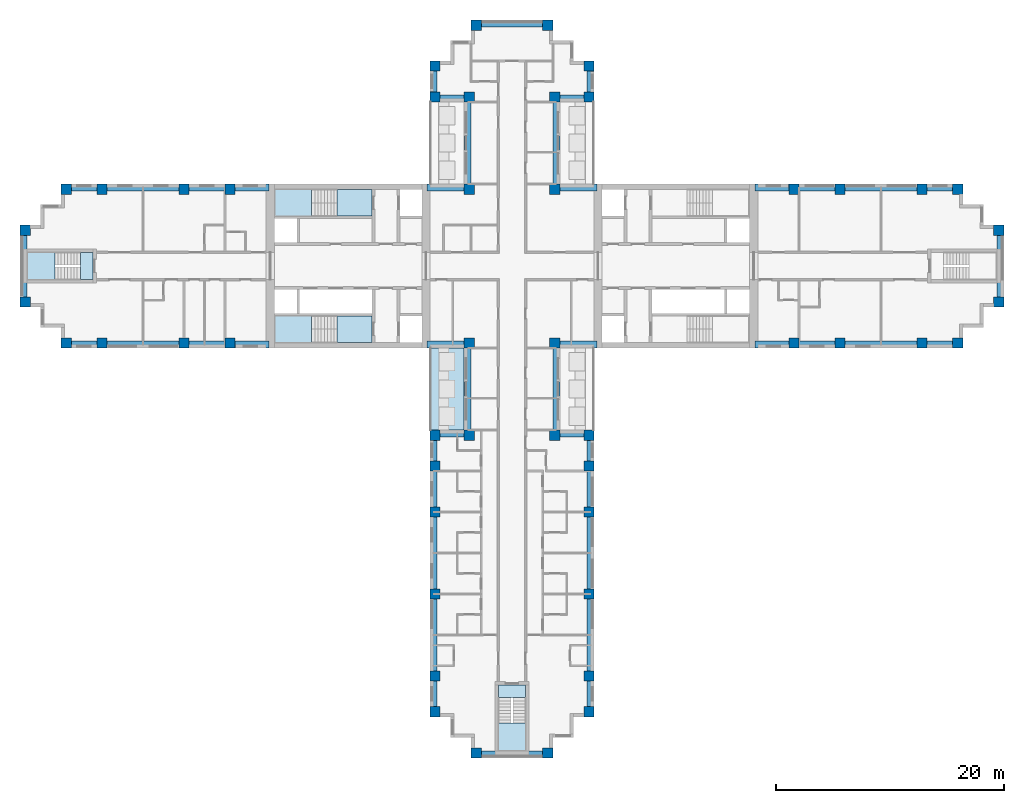
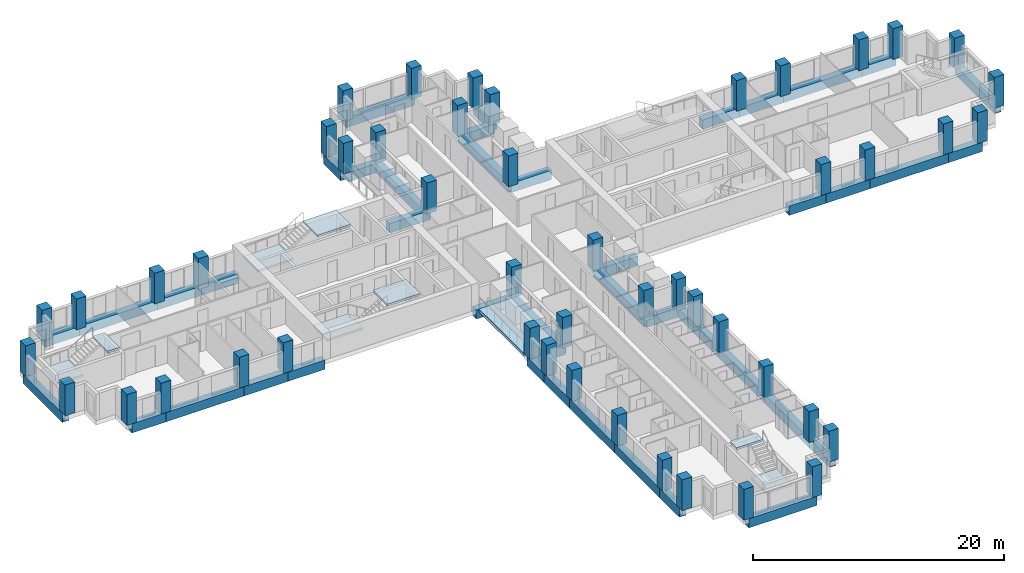
# One storey, part 1 of 14: 48 columns, 44 beams, 9 slabs, 4 elements without a shape of their own.
"""IFC4 building model written with IfcOpenShell, lengths in metres."""

from ifc_helpers import new_model, si_unit, direction, frame, origin, origin_2d, place, context, subcontext, project, spatial, polyline, rectangle, outline, extrude, material, layer, layer_set, material_profile, profile_set, type_object, element, aggregate, save


model = new_model("IFC4")

# Units and contexts
model_context = context("Model", 3, precision=1e-05, world=origin(), true_north=direction((0.0, 1.0)))
body_context = subcontext(model_context, "Body", "Model", "MODEL_VIEW")
ifc_project = project(units=[si_unit("LENGTHUNIT", "METRE"), si_unit("AREAUNIT", "SQUARE_METRE"), si_unit("VOLUMEUNIT", "CUBIC_METRE"), si_unit("PLANEANGLEUNIT", "RADIAN"), si_unit("MASSUNIT", "GRAM", prefix="KILO")], contexts=[model_context])

# Site, building, storey
site_placement = place(None, origin())
site = spatial("IfcSite", under=ifc_project, at=site_placement, CompositionType="ELEMENT")
building_placement = place(site_placement, origin())
building = spatial("IfcBuilding", under=site, at=building_placement, Name="Fustian Cross Tower", CompositionType="ELEMENT")
storey_placement = place(building_placement, frame((0.0, 0.0, 69.89990234375)))
storey = spatial("IfcBuildingStorey", under=building, at=storey_placement, Name="L21", CompositionType="ELEMENT", Elevation=69.89990234375)

# Columns
ifc_material_1 = material(Name="Concrete C60/75", Category="concrete")
ifc_material_profile_1 = material_profile(ifc_material_1, rectangle(XDim=0.89990234375, YDim=0.89990234375, at=origin_2d()), Name="RC 900x900")
ifc_profile_set_1 = profile_set([ifc_material_profile_1], Name="Concrete C60/75")
column_type = type_object("IfcColumnType", Name="COLUMN RC 900x900 C60/75", PredefinedType="COLUMN", material=ifc_profile_set_1)
for number, where, z_axis, x_axis, name in (
    (1, (-42.75, -3.14990234375, 0.0), (0.0, 0.0, 1.0), (1.0, 0.0, 0.0), "COLUMN 001"),
    (2, (-42.75, 3.14990234375, 0.0), (0.0, 0.0, 1.0), (1.0, 0.0, 0.0), "COLUMN 002"),
    (3, (-39.14990234375, -6.75, 0.0), (0.0, 0.0, 1.0), (1.0, 0.0, 0.0), "COLUMN 003"),
    (4, (-39.14990234375, 6.75, 0.0), (0.0, 0.0, 1.0), (1.0, 0.0, 0.0), "COLUMN 004"),
    (5, (-36.0, -6.75, 0.0), (0.0, 0.0, 1.0), (1.0, 0.0, 0.0), "COLUMN 005"),
    (6, (-36.0, 6.75, 0.0), (0.0, 0.0, 1.0), (1.0, 0.0, 0.0), "COLUMN 006"),
    (7, (-28.800048828125, -6.75, 0.0), (0.0, 0.0, 1.0), (1.0, 0.0, 0.0), "COLUMN 007"),
    (8, (-28.800048828125, 6.75, 0.0), (0.0, 0.0, 1.0), (1.0, 0.0, 0.0), "COLUMN 010"),
    (9, (-24.75, -6.75, 0.0), (0.0, 0.0, 1.0), (1.0, 0.0, 0.0), "COLUMN 011"),
    (10, (-24.75, 6.75, 0.0), (0.0, 0.0, 1.0), (1.0, 0.0, 0.0), "COLUMN 012"),
    (11, (-6.75, -39.14990234375, 0.0), (0.0, 0.0, 1.0), (1.0, 0.0, 0.0), "COLUMN 013"),
    (12, (-6.75, -36.0, 0.0), (0.0, 0.0, 1.0), (1.0, 0.0, 0.0), "COLUMN 014"),
    (13, (-6.75, -28.800048828125, 0.0), (0.0, 0.0, 1.0), (1.0, 0.0, 0.0), "COLUMN 015"),
    (14, (-6.75, -21.60009765625, 0.0), (0.0, 0.0, 1.0), (1.0, 0.0, 0.0), "COLUMN 016"),
    (15, (-6.75, -17.550048828125, 0.0), (0.0, 0.0, 1.0), (1.0, 0.0, 0.0), "COLUMN 017"),
    (16, (-6.75, -14.85009765625, 0.0), (0.0, 0.0, 1.0), (1.0, 0.0, 0.0), "COLUMN 018"),
    (17, (-6.75, 14.85009765625, 0.0), (0.0, 0.0, 1.0), (1.0, 0.0, 0.0), "COLUMN 019"),
    (18, (-6.75, 17.550048828125, 0.0), (0.0, 0.0, 1.0), (1.0, 0.0, 0.0), "COLUMN 020"),
    (19, (-3.75, -14.85009765625, 0.0), (0.0, 0.0, 1.0), (1.0, 0.0, 0.0), "COLUMN 025"),
    (20, (-3.75, -6.75, 0.0), (0.0, 0.0, 1.0), (1.0, 0.0, 0.0), "COLUMN 026"),
    (21, (-3.75, 6.75, 0.0), (0.0, 0.0, 1.0), (1.0, 0.0, 0.0), "COLUMN 027"),
    (22, (-3.75, 14.85009765625, 0.0), (0.0, 0.0, 1.0), (1.0, 0.0, 0.0), "COLUMN 028"),
    (23, (-3.14990234375, -42.75, 0.0), (0.0, 0.0, 1.0), (1.0, 0.0, 0.0), "COLUMN 029"),
    (24, (-3.14990234375, 21.14990234375, 0.0), (0.0, 0.0, 1.0), (1.0, 0.0, 0.0), "COLUMN 031"),
    (25, (3.14990234375, -42.75, 0.0), (0.0, 0.0, 1.0), (1.0, 0.0, 0.0), "COLUMN 033"),
    (26, (3.14990234375, 21.14990234375, 0.0), (0.0, 0.0, 1.0), (1.0, 0.0, 0.0), "COLUMN 035"),
    (27, (3.75, -14.85009765625, 0.0), (0.0, 0.0, 1.0), (1.0, 0.0, 0.0), "COLUMN 037"),
    (28, (3.75, -6.75, 0.0), (0.0, 0.0, 1.0), (1.0, 0.0, 0.0), "COLUMN 038"),
    (29, (3.75, 6.75, 0.0), (0.0, 0.0, 1.0), (1.0, 0.0, 0.0), "COLUMN 039"),
    (30, (3.75, 14.85009765625, 0.0), (0.0, 0.0, 1.0), (1.0, 0.0, 0.0), "COLUMN 040"),
    (31, (6.75, -39.14990234375, 0.0), (0.0, 0.0, 1.0), (1.0, 0.0, 0.0), "COLUMN 041"),
    (32, (6.75, -36.0, 0.0), (0.0, 0.0, 1.0), (1.0, 0.0, 0.0), "COLUMN 042"),
    (33, (6.75, -28.800048828125, 0.0), (0.0, 0.0, 1.0), (1.0, 0.0, 0.0), "COLUMN 043"),
    (34, (6.75, -21.60009765625, 0.0), (0.0, 0.0, 1.0), (1.0, 0.0, 0.0), "COLUMN 044"),
    (35, (6.75, -17.550048828125, 0.0), (0.0, 0.0, 1.0), (1.0, 0.0, 0.0), "COLUMN 045"),
    (36, (6.75, -14.85009765625, 0.0), (0.0, 0.0, 1.0), (1.0, 0.0, 0.0), "COLUMN 046"),
    (37, (6.75, 14.85009765625, 0.0), (0.0, 0.0, 1.0), (1.0, 0.0, 0.0), "COLUMN 047"),
    (38, (6.75, 17.550048828125, 0.0), (0.0, 0.0, 1.0), (1.0, 0.0, 0.0), "COLUMN 048"),
    (39, (24.75, -6.75, 0.0), (0.0, 0.0, 1.0), (1.0, 0.0, 0.0), "COLUMN 053"),
    (40, (24.75, 6.75, 0.0), (0.0, 0.0, 1.0), (1.0, 0.0, 0.0), "COLUMN 054"),
    (41, (28.800048828125, -6.75, 0.0), (0.0, 0.0, 1.0), (1.0, 0.0, 0.0), "COLUMN 055"),
    (42, (28.800048828125, 6.75, 0.0), (0.0, 0.0, 1.0), (1.0, 0.0, 0.0), "COLUMN 058"),
    (43, (36.0, -6.75, 0.0), (0.0, 0.0, 1.0), (1.0, 0.0, 0.0), "COLUMN 059"),
    (44, (36.0, 6.75, 0.0), (0.0, 0.0, 1.0), (1.0, 0.0, 0.0), "COLUMN 060"),
    (45, (39.14990234375, -6.75, 0.0), (0.0, 0.0, 1.0), (1.0, 0.0, 0.0), "COLUMN 061"),
    (46, (39.14990234375, 6.75, 0.0), (0.0, 0.0, 1.0), (1.0, 0.0, 0.0), "COLUMN 062"),
    (47, (42.75, -3.14990234375, 0.0), (0.0, 0.0, 1.0), (1.0, 0.0, 0.0), "COLUMN 063"),
    (48, (42.75, 3.14990234375, 0.0), (0.0, 0.0, 1.0), (1.0, 0.0, 0.0), "COLUMN 064"),
):
    element("IfcColumn", number, at=place(storey_placement, frame(where, z_axis=z_axis, x_axis=x_axis)), inside=storey, type_object=column_type, Name=name, PredefinedType="COLUMN", context=body_context, shape_type="SweptSolid", body=[
        extrude(rectangle(XDim=0.89990234375, YDim=0.89990234375, at=origin_2d()), origin(), (0.0, 0.0, 1.0), 3.0),
    ])

# Beams
ifc_material_2 = material(Name="Concrete C50/60", Category="concrete")
ifc_material_profile_2 = material_profile(ifc_material_2, rectangle(XDim=0.60009765625, YDim=0.89990234375, at=origin_2d()), Name="RC 600x900")
ifc_profile_set_2 = profile_set([ifc_material_profile_2], Name="Concrete C50/60")
beam_type = type_object("IfcBeamType", Name="EDGE BEAM RC 600x900 C50/60", PredefinedType="SPANDREL", material=ifc_profile_set_2)
beam_1_placement = place(storey_placement, frame((21.35009765625, -6.89990234375, -0.449951171875), z_axis=(1.0, 0.0, 0.0), x_axis=(0.0, 1.0, 0.0)))
element("IfcBeam", 49, at=beam_1_placement, inside=storey, type_object=beam_type, Name="EDGE BEAM L21-01", PredefinedType="SPANDREL", context=body_context, shape_type="SweptSolid", body=[
    extrude(rectangle(XDim=0.60009765625, YDim=0.89990234375, at=origin_2d()), origin(), (0.0, 0.0, 1.0), 3.39990234375),
])
beam_2_placement = place(storey_placement, frame((24.75, -6.89990234375, -0.449951171875), z_axis=(1.0, 0.0, 0.0), x_axis=(0.0, 1.0, 0.0)))
element("IfcBeam", 50, at=beam_2_placement, inside=storey, type_object=beam_type, Name="EDGE BEAM L21-02", PredefinedType="SPANDREL", context=body_context, shape_type="SweptSolid", body=[
    extrude(rectangle(XDim=0.60009765625, YDim=0.89990234375, at=origin_2d()), origin(), (0.0, 0.0, 1.0), 4.050048828125),
])
beam_3_placement = place(storey_placement, frame((28.800048828125, -6.89990234375, -0.449951171875), z_axis=(1.0, 0.0, 0.0), x_axis=(0.0, 1.0, 0.0)))
element("IfcBeam", 51, at=beam_3_placement, inside=storey, type_object=beam_type, Name="EDGE BEAM L21-03", PredefinedType="SPANDREL", context=body_context, shape_type="SweptSolid", body=[
    extrude(rectangle(XDim=0.60009765625, YDim=0.89990234375, at=origin_2d()), origin(), (0.0, 0.0, 1.0), 7.199951171875),
])
beam_4_placement = place(storey_placement, frame((36.0, -6.89990234375, -0.449951171875), z_axis=(1.0, 0.0, 0.0), x_axis=(0.0, 1.0, 0.0)))
element("IfcBeam", 52, at=beam_4_placement, inside=storey, type_object=beam_type, Name="EDGE BEAM L21-04", PredefinedType="SPANDREL", context=body_context, shape_type="SweptSolid", body=[
    extrude(rectangle(XDim=0.60009765625, YDim=0.89990234375, at=origin_2d()), origin(), (0.0, 0.0, 1.0), 3.14990234375),
])
beam_5_placement = place(storey_placement, frame((42.89990234375, -3.14990234375, -0.449951171875), z_axis=(0.0, 1.0, 0.0), x_axis=(-1.0, 0.0, 0.0)))
element("IfcBeam", 53, at=beam_5_placement, inside=storey, type_object=beam_type, Name="EDGE BEAM L21-05", PredefinedType="SPANDREL", context=body_context, shape_type="SweptSolid", body=[
    extrude(rectangle(XDim=0.60009765625, YDim=0.89990234375, at=origin_2d()), origin(), (0.0, 0.0, 1.0), 6.2998046875),
])
beam_6_placement = place(storey_placement, frame((39.14990234375, 6.89990234375, -0.449951171875), z_axis=(-1.0, 0.0, 0.0), x_axis=(0.0, -1.0, 0.0)))
element("IfcBeam", 54, at=beam_6_placement, inside=storey, type_object=beam_type, Name="EDGE BEAM L21-06", PredefinedType="SPANDREL", context=body_context, shape_type="SweptSolid", body=[
    extrude(rectangle(XDim=0.60009765625, YDim=0.89990234375, at=origin_2d()), origin(), (0.0, 0.0, 1.0), 3.14990234375),
])
beam_7_placement = place(storey_placement, frame((36.0, 6.89990234375, -0.449951171875), z_axis=(-1.0, 0.0, 0.0), x_axis=(0.0, -1.0, 0.0)))
element("IfcBeam", 55, at=beam_7_placement, inside=storey, type_object=beam_type, Name="EDGE BEAM L21-07", PredefinedType="SPANDREL", context=body_context, shape_type="SweptSolid", body=[
    extrude(rectangle(XDim=0.60009765625, YDim=0.89990234375, at=origin_2d()), origin(), (0.0, 0.0, 1.0), 7.199951171875),
])
beam_8_placement = place(storey_placement, frame((28.800048828125, 6.89990234375, -0.449951171875), z_axis=(-1.0, 0.0, 0.0), x_axis=(0.0, -1.0, 0.0)))
element("IfcBeam", 56, at=beam_8_placement, inside=storey, type_object=beam_type, Name="EDGE BEAM L21-08", PredefinedType="SPANDREL", context=body_context, shape_type="SweptSolid", body=[
    extrude(rectangle(XDim=0.60009765625, YDim=0.89990234375, at=origin_2d()), origin(), (0.0, 0.0, 1.0), 4.050048828125),
])
beam_9_placement = place(storey_placement, frame((24.75, 6.89990234375, -0.449951171875), z_axis=(-1.0, 0.0, 0.0), x_axis=(0.0, -1.0, 0.0)))
element("IfcBeam", 57, at=beam_9_placement, inside=storey, type_object=beam_type, Name="EDGE BEAM L21-09", PredefinedType="SPANDREL", context=body_context, shape_type="SweptSolid", body=[
    extrude(rectangle(XDim=0.60009765625, YDim=0.89990234375, at=origin_2d()), origin(), (0.0, 0.0, 1.0), 3.39990234375),
])
beam_10_placement = place(storey_placement, frame((7.449951171875, 6.89990234375, -0.449951171875), z_axis=(-1.0, 0.0, 0.0), x_axis=(0.0, -1.0, 0.0)))
element("IfcBeam", 58, at=beam_10_placement, inside=storey, type_object=beam_type, Name="EDGE BEAM L21-10", PredefinedType="SPANDREL", context=body_context, shape_type="SweptSolid", body=[
    extrude(rectangle(XDim=0.60009765625, YDim=0.89990234375, at=origin_2d()), origin(), (0.0, 0.0, 1.0), 3.699951171875),
])
beam_11_placement = place(storey_placement, frame((3.89990234375, 6.75, -0.449951171875), z_axis=(0.0, 1.0, 0.0), x_axis=(-1.0, 0.0, 0.0)))
element("IfcBeam", 59, at=beam_11_placement, inside=storey, type_object=beam_type, Name="EDGE BEAM L21-11", PredefinedType="SPANDREL", context=body_context, shape_type="SweptSolid", body=[
    extrude(rectangle(XDim=0.60009765625, YDim=0.89990234375, at=origin_2d()), origin(), (0.0, 0.0, 1.0), 8.10009765625),
])
beam_12_placement = place(storey_placement, frame((3.75, 14.699951171875, -0.449951171875), z_axis=(1.0, 0.0, 0.0), x_axis=(0.0, 1.0, 0.0)))
element("IfcBeam", 60, at=beam_12_placement, inside=storey, type_object=beam_type, Name="EDGE BEAM L21-12", PredefinedType="SPANDREL", context=body_context, shape_type="SweptSolid", body=[
    extrude(rectangle(XDim=0.60009765625, YDim=0.89990234375, at=origin_2d()), origin(), (0.0, 0.0, 1.0), 3.0),
])
beam_13_placement = place(storey_placement, frame((6.89990234375, 14.85009765625, -0.449951171875), z_axis=(0.0, 1.0, 0.0), x_axis=(-1.0, 0.0, 0.0)))
element("IfcBeam", 61, at=beam_13_placement, inside=storey, type_object=beam_type, Name="EDGE BEAM L21-13", PredefinedType="SPANDREL", context=body_context, shape_type="SweptSolid", body=[
    extrude(rectangle(XDim=0.60009765625, YDim=0.89990234375, at=origin_2d()), origin(), (0.0, 0.0, 1.0), 2.699951171875),
])
beam_14_placement = place(storey_placement, frame((3.14990234375, 21.300048828125, -0.449951171875), z_axis=(-1.0, 0.0, 0.0), x_axis=(0.0, -1.0, 0.0)))
element("IfcBeam", 62, at=beam_14_placement, inside=storey, type_object=beam_type, Name="EDGE BEAM L21-14", PredefinedType="SPANDREL", context=body_context, shape_type="SweptSolid", body=[
    extrude(rectangle(XDim=0.60009765625, YDim=0.89990234375, at=origin_2d()), origin(), (0.0, 0.0, 1.0), 6.2998046875),
])
beam_15_placement = place(storey_placement, frame((-6.89990234375, 17.550048828125, -0.449951171875), z_axis=(0.0, -1.0, 0.0), x_axis=(1.0, 0.0, 0.0)))
element("IfcBeam", 63, at=beam_15_placement, inside=storey, type_object=beam_type, Name="EDGE BEAM L21-15", PredefinedType="SPANDREL", context=body_context, shape_type="SweptSolid", body=[
    extrude(rectangle(XDim=0.60009765625, YDim=0.89990234375, at=origin_2d()), origin(), (0.0, 0.0, 1.0), 2.699951171875),
])
beam_16_placement = place(storey_placement, frame((-6.75, 14.699951171875, -0.449951171875), z_axis=(1.0, 0.0, 0.0), x_axis=(0.0, 1.0, 0.0)))
element("IfcBeam", 64, at=beam_16_placement, inside=storey, type_object=beam_type, Name="EDGE BEAM L21-16", PredefinedType="SPANDREL", context=body_context, shape_type="SweptSolid", body=[
    extrude(rectangle(XDim=0.60009765625, YDim=0.89990234375, at=origin_2d()), origin(), (0.0, 0.0, 1.0), 3.0),
])
beam_17_placement = place(storey_placement, frame((-3.89990234375, 14.85009765625, -0.449951171875), z_axis=(0.0, -1.0, 0.0), x_axis=(1.0, 0.0, 0.0)))
element("IfcBeam", 65, at=beam_17_placement, inside=storey, type_object=beam_type, Name="EDGE BEAM L21-17", PredefinedType="SPANDREL", context=body_context, shape_type="SweptSolid", body=[
    extrude(rectangle(XDim=0.60009765625, YDim=0.89990234375, at=origin_2d()), origin(), (0.0, 0.0, 1.0), 8.10009765625),
])
beam_18_placement = place(storey_placement, frame((-3.75, 6.89990234375, -0.449951171875), z_axis=(-1.0, 0.0, 0.0), x_axis=(0.0, -1.0, 0.0)))
element("IfcBeam", 66, at=beam_18_placement, inside=storey, type_object=beam_type, Name="EDGE BEAM L21-18", PredefinedType="SPANDREL", context=body_context, shape_type="SweptSolid", body=[
    extrude(rectangle(XDim=0.60009765625, YDim=0.89990234375, at=origin_2d()), origin(), (0.0, 0.0, 1.0), 3.699951171875),
])
beam_19_placement = place(storey_placement, frame((-21.35009765625, 6.89990234375, -0.449951171875), z_axis=(-1.0, 0.0, 0.0), x_axis=(0.0, -1.0, 0.0)))
element("IfcBeam", 67, at=beam_19_placement, inside=storey, type_object=beam_type, Name="EDGE BEAM L21-19", PredefinedType="SPANDREL", context=body_context, shape_type="SweptSolid", body=[
    extrude(rectangle(XDim=0.60009765625, YDim=0.89990234375, at=origin_2d()), origin(), (0.0, 0.0, 1.0), 3.39990234375),
])
beam_20_placement = place(storey_placement, frame((-24.75, 6.89990234375, -0.449951171875), z_axis=(-1.0, 0.0, 0.0), x_axis=(0.0, -1.0, 0.0)))
element("IfcBeam", 68, at=beam_20_placement, inside=storey, type_object=beam_type, Name="EDGE BEAM L21-20", PredefinedType="SPANDREL", context=body_context, shape_type="SweptSolid", body=[
    extrude(rectangle(XDim=0.60009765625, YDim=0.89990234375, at=origin_2d()), origin(), (0.0, 0.0, 1.0), 4.050048828125),
])
beam_21_placement = place(storey_placement, frame((-28.800048828125, 6.89990234375, -0.449951171875), z_axis=(-1.0, 0.0, 0.0), x_axis=(0.0, -1.0, 0.0)))
element("IfcBeam", 69, at=beam_21_placement, inside=storey, type_object=beam_type, Name="EDGE BEAM L21-21", PredefinedType="SPANDREL", context=body_context, shape_type="SweptSolid", body=[
    extrude(rectangle(XDim=0.60009765625, YDim=0.89990234375, at=origin_2d()), origin(), (0.0, 0.0, 1.0), 7.199951171875),
])
beam_22_placement = place(storey_placement, frame((-36.0, 6.89990234375, -0.449951171875), z_axis=(-1.0, 0.0, 0.0), x_axis=(0.0, -1.0, 0.0)))
element("IfcBeam", 70, at=beam_22_placement, inside=storey, type_object=beam_type, Name="EDGE BEAM L21-22", PredefinedType="SPANDREL", context=body_context, shape_type="SweptSolid", body=[
    extrude(rectangle(XDim=0.60009765625, YDim=0.89990234375, at=origin_2d()), origin(), (0.0, 0.0, 1.0), 3.14990234375),
])
beam_23_placement = place(storey_placement, frame((-42.89990234375, 3.14990234375, -0.449951171875), z_axis=(0.0, -1.0, 0.0), x_axis=(1.0, 0.0, 0.0)))
element("IfcBeam", 71, at=beam_23_placement, inside=storey, type_object=beam_type, Name="EDGE BEAM L21-23", PredefinedType="SPANDREL", context=body_context, shape_type="SweptSolid", body=[
    extrude(rectangle(XDim=0.60009765625, YDim=0.89990234375, at=origin_2d()), origin(), (0.0, 0.0, 1.0), 6.2998046875),
])
beam_24_placement = place(storey_placement, frame((-39.14990234375, -6.89990234375, -0.449951171875), z_axis=(1.0, 0.0, 0.0), x_axis=(0.0, 1.0, 0.0)))
element("IfcBeam", 72, at=beam_24_placement, inside=storey, type_object=beam_type, Name="EDGE BEAM L21-24", PredefinedType="SPANDREL", context=body_context, shape_type="SweptSolid", body=[
    extrude(rectangle(XDim=0.60009765625, YDim=0.89990234375, at=origin_2d()), origin(), (0.0, 0.0, 1.0), 3.14990234375),
])
beam_25_placement = place(storey_placement, frame((-36.0, -6.89990234375, -0.449951171875), z_axis=(1.0, 0.0, 0.0), x_axis=(0.0, 1.0, 0.0)))
element("IfcBeam", 73, at=beam_25_placement, inside=storey, type_object=beam_type, Name="EDGE BEAM L21-25", PredefinedType="SPANDREL", context=body_context, shape_type="SweptSolid", body=[
    extrude(rectangle(XDim=0.60009765625, YDim=0.89990234375, at=origin_2d()), origin(), (0.0, 0.0, 1.0), 7.199951171875),
])
beam_26_placement = place(storey_placement, frame((-28.800048828125, -6.89990234375, -0.449951171875), z_axis=(1.0, 0.0, 0.0), x_axis=(0.0, 1.0, 0.0)))
element("IfcBeam", 74, at=beam_26_placement, inside=storey, type_object=beam_type, Name="EDGE BEAM L21-26", PredefinedType="SPANDREL", context=body_context, shape_type="SweptSolid", body=[
    extrude(rectangle(XDim=0.60009765625, YDim=0.89990234375, at=origin_2d()), origin(), (0.0, 0.0, 1.0), 4.050048828125),
])
beam_27_placement = place(storey_placement, frame((-24.75, -6.89990234375, -0.449951171875), z_axis=(1.0, 0.0, 0.0), x_axis=(0.0, 1.0, 0.0)))
element("IfcBeam", 75, at=beam_27_placement, inside=storey, type_object=beam_type, Name="EDGE BEAM L21-27", PredefinedType="SPANDREL", context=body_context, shape_type="SweptSolid", body=[
    extrude(rectangle(XDim=0.60009765625, YDim=0.89990234375, at=origin_2d()), origin(), (0.0, 0.0, 1.0), 3.39990234375),
])
beam_28_placement = place(storey_placement, frame((-7.449951171875, -6.89990234375, -0.449951171875), z_axis=(1.0, 0.0, 0.0), x_axis=(0.0, 1.0, 0.0)))
element("IfcBeam", 76, at=beam_28_placement, inside=storey, type_object=beam_type, Name="EDGE BEAM L21-28", PredefinedType="SPANDREL", context=body_context, shape_type="SweptSolid", body=[
    extrude(rectangle(XDim=0.60009765625, YDim=0.89990234375, at=origin_2d()), origin(), (0.0, 0.0, 1.0), 3.699951171875),
])
beam_29_placement = place(storey_placement, frame((-3.89990234375, -6.75, -0.449951171875), z_axis=(0.0, -1.0, 0.0), x_axis=(1.0, 0.0, 0.0)))
element("IfcBeam", 77, at=beam_29_placement, inside=storey, type_object=beam_type, Name="EDGE BEAM L21-29", PredefinedType="SPANDREL", context=body_context, shape_type="SweptSolid", body=[
    extrude(rectangle(XDim=0.60009765625, YDim=0.89990234375, at=origin_2d()), origin(), (0.0, 0.0, 1.0), 8.10009765625),
])
beam_30_placement = place(storey_placement, frame((-3.75, -14.699951171875, -0.449951171875), z_axis=(-1.0, 0.0, 0.0), x_axis=(0.0, -1.0, 0.0)))
element("IfcBeam", 78, at=beam_30_placement, inside=storey, type_object=beam_type, Name="EDGE BEAM L21-30", PredefinedType="SPANDREL", context=body_context, shape_type="SweptSolid", body=[
    extrude(rectangle(XDim=0.60009765625, YDim=0.89990234375, at=origin_2d()), origin(), (0.0, 0.0, 1.0), 3.0),
])
beam_31_placement = place(storey_placement, frame((-6.89990234375, -14.85009765625, -0.449951171875), z_axis=(0.0, -1.0, 0.0), x_axis=(1.0, 0.0, 0.0)))
element("IfcBeam", 79, at=beam_31_placement, inside=storey, type_object=beam_type, Name="EDGE BEAM L21-31", PredefinedType="SPANDREL", context=body_context, shape_type="SweptSolid", body=[
    extrude(rectangle(XDim=0.60009765625, YDim=0.89990234375, at=origin_2d()), origin(), (0.0, 0.0, 1.0), 2.699951171875),
])
beam_32_placement = place(storey_placement, frame((-6.89990234375, -17.550048828125, -0.449951171875), z_axis=(0.0, -1.0, 0.0), x_axis=(1.0, 0.0, 0.0)))
element("IfcBeam", 80, at=beam_32_placement, inside=storey, type_object=beam_type, Name="EDGE BEAM L21-32", PredefinedType="SPANDREL", context=body_context, shape_type="SweptSolid", body=[
    extrude(rectangle(XDim=0.60009765625, YDim=0.89990234375, at=origin_2d()), origin(), (0.0, 0.0, 1.0), 4.050048828125),
])
for number, where, z_axis, x_axis, name in (
    (81, (-6.89990234375, -21.60009765625, -0.449951171875), (0.0, -1.0, 0.0), (1.0, 0.0, 0.0), "EDGE BEAM L21-33"),
    (82, (-6.89990234375, -28.800048828125, -0.449951171875), (0.0, -1.0, 0.0), (1.0, 0.0, 0.0), "EDGE BEAM L21-34"),
):
    element("IfcBeam", number, at=place(storey_placement, frame(where, z_axis=z_axis, x_axis=x_axis)), inside=storey, type_object=beam_type, Name=name, PredefinedType="SPANDREL", context=body_context, shape_type="SweptSolid", body=[
        extrude(rectangle(XDim=0.60009765625, YDim=0.89990234375, at=origin_2d()), origin(), (0.0, 0.0, 1.0), 7.199951171875),
    ])
beam_33_placement = place(storey_placement, frame((-6.89990234375, -36.0, -0.449951171875), z_axis=(0.0, -1.0, 0.0), x_axis=(1.0, 0.0, 0.0)))
element("IfcBeam", 83, at=beam_33_placement, inside=storey, type_object=beam_type, Name="EDGE BEAM L21-35", PredefinedType="SPANDREL", context=body_context, shape_type="SweptSolid", body=[
    extrude(rectangle(XDim=0.60009765625, YDim=0.89990234375, at=origin_2d()), origin(), (0.0, 0.0, 1.0), 3.14990234375),
])
beam_34_placement = place(storey_placement, frame((-3.14990234375, -42.89990234375, -0.449951171875), z_axis=(1.0, 0.0, 0.0), x_axis=(0.0, 1.0, 0.0)))
element("IfcBeam", 84, at=beam_34_placement, inside=storey, type_object=beam_type, Name="EDGE BEAM L21-36", PredefinedType="SPANDREL", context=body_context, shape_type="SweptSolid", body=[
    extrude(rectangle(XDim=0.60009765625, YDim=0.89990234375, at=origin_2d()), origin(), (0.0, 0.0, 1.0), 6.2998046875),
])
beam_35_placement = place(storey_placement, frame((6.89990234375, -39.14990234375, -0.449951171875), z_axis=(0.0, 1.0, 0.0), x_axis=(-1.0, 0.0, 0.0)))
element("IfcBeam", 85, at=beam_35_placement, inside=storey, type_object=beam_type, Name="EDGE BEAM L21-37", PredefinedType="SPANDREL", context=body_context, shape_type="SweptSolid", body=[
    extrude(rectangle(XDim=0.60009765625, YDim=0.89990234375, at=origin_2d()), origin(), (0.0, 0.0, 1.0), 3.14990234375),
])
for number, where, z_axis, x_axis, name in (
    (86, (6.89990234375, -36.0, -0.449951171875), (0.0, 1.0, 0.0), (-1.0, 0.0, 0.0), "EDGE BEAM L21-38"),
    (87, (6.89990234375, -28.800048828125, -0.449951171875), (0.0, 1.0, 0.0), (-1.0, 0.0, 0.0), "EDGE BEAM L21-39"),
):
    element("IfcBeam", number, at=place(storey_placement, frame(where, z_axis=z_axis, x_axis=x_axis)), inside=storey, type_object=beam_type, Name=name, PredefinedType="SPANDREL", context=body_context, shape_type="SweptSolid", body=[
        extrude(rectangle(XDim=0.60009765625, YDim=0.89990234375, at=origin_2d()), origin(), (0.0, 0.0, 1.0), 7.199951171875),
    ])
beam_36_placement = place(storey_placement, frame((6.89990234375, -21.60009765625, -0.449951171875), z_axis=(0.0, 1.0, 0.0), x_axis=(-1.0, 0.0, 0.0)))
element("IfcBeam", 88, at=beam_36_placement, inside=storey, type_object=beam_type, Name="EDGE BEAM L21-40", PredefinedType="SPANDREL", context=body_context, shape_type="SweptSolid", body=[
    extrude(rectangle(XDim=0.60009765625, YDim=0.89990234375, at=origin_2d()), origin(), (0.0, 0.0, 1.0), 4.050048828125),
])
beam_37_placement = place(storey_placement, frame((6.89990234375, -17.550048828125, -0.449951171875), z_axis=(0.0, 1.0, 0.0), x_axis=(-1.0, 0.0, 0.0)))
element("IfcBeam", 89, at=beam_37_placement, inside=storey, type_object=beam_type, Name="EDGE BEAM L21-41", PredefinedType="SPANDREL", context=body_context, shape_type="SweptSolid", body=[
    extrude(rectangle(XDim=0.60009765625, YDim=0.89990234375, at=origin_2d()), origin(), (0.0, 0.0, 1.0), 2.699951171875),
])
beam_38_placement = place(storey_placement, frame((6.75, -14.699951171875, -0.449951171875), z_axis=(-1.0, 0.0, 0.0), x_axis=(0.0, -1.0, 0.0)))
element("IfcBeam", 90, at=beam_38_placement, inside=storey, type_object=beam_type, Name="EDGE BEAM L21-42", PredefinedType="SPANDREL", context=body_context, shape_type="SweptSolid", body=[
    extrude(rectangle(XDim=0.60009765625, YDim=0.89990234375, at=origin_2d()), origin(), (0.0, 0.0, 1.0), 3.0),
])
beam_39_placement = place(storey_placement, frame((3.89990234375, -14.85009765625, -0.449951171875), z_axis=(0.0, 1.0, 0.0), x_axis=(-1.0, 0.0, 0.0)))
element("IfcBeam", 91, at=beam_39_placement, inside=storey, type_object=beam_type, Name="EDGE BEAM L21-43", PredefinedType="SPANDREL", context=body_context, shape_type="SweptSolid", body=[
    extrude(rectangle(XDim=0.60009765625, YDim=0.89990234375, at=origin_2d()), origin(), (0.0, 0.0, 1.0), 8.10009765625),
])
beam_40_placement = place(storey_placement, frame((3.75, -6.89990234375, -0.449951171875), z_axis=(1.0, 0.0, 0.0), x_axis=(0.0, 1.0, 0.0)))
element("IfcBeam", 92, at=beam_40_placement, inside=storey, type_object=beam_type, Name="EDGE BEAM L21-44", PredefinedType="SPANDREL", context=body_context, shape_type="SweptSolid", body=[
    extrude(rectangle(XDim=0.60009765625, YDim=0.89990234375, at=origin_2d()), origin(), (0.0, 0.0, 1.0), 3.699951171875),
])

# Slab
ifc_material_3 = material(Name="Concrete C40/50", Category="concrete")
ifc_layer_1 = layer(ifc_material_3, 0.300048828125)
ifc_layer_set_1 = layer_set([ifc_layer_1], Name="Concrete C40/50")
slab_type_1 = type_object("IfcSlabType", Name="BS1 BALCONY SLAB 300", PredefinedType="FLOOR", material=ifc_layer_set_1)
slab_1_placement = place(storey_placement, frame((0.0, 0.0, -0.2998046875)))
element("IfcSlab", 93, at=slab_1_placement, inside=storey, type_object=slab_type_1, Name="Balcony slab", PredefinedType="FLOOR", context=body_context, shape_type="SweptSolid", body=[
    extrude(outline(polyline([(-7.199951171875, -14.39990234375), (-4.199951171875, -14.39990234375), (-4.199951171875, -7.199951171875), (-7.199951171875, -7.199951171875), (-7.199951171875, -14.39990234375)])), origin(), (0.0, 0.0, 1.0), 0.2998046875),
])

# Stair, slabs
ifc_material_4 = material(Name="Concrete C50/60", Category="concrete")
stair_type_1 = type_object("IfcStairType", Name="STAIR 1150 HALF TURN", PredefinedType="HALF_TURN_STAIR", material=ifc_material_4)
stair_1_placement = place(storey_placement, origin())
stair_1 = element("IfcStair", 94, at=stair_1_placement, inside=storey, type_object=stair_type_1, Name="Stair ST3", PredefinedType="HALF_TURN_STAIR")
ifc_material_5 = material(Name="Concrete C50/60", Category="concrete")
ifc_layer_2 = layer(ifc_material_5, 0.199951171875)
ifc_layer_set_2 = layer_set([ifc_layer_2], Name="Concrete C50/60")
slab_type_2 = type_object("IfcSlabType", Name="STAIR LANDING", PredefinedType="LANDING", material=ifc_layer_set_2)
slab_2_placement = place(storey_placement, frame((0.0, 0.0, 1.300048828125)))
slab_2 = element("IfcSlab", 95, at=slab_2_placement, type_object=slab_type_2, Name="ST3 landing 1", PredefinedType="LANDING", context=body_context, shape_type="SweptSolid", body=[
    extrude(outline(polyline([(-17.590087890625, 4.39990234375), (-20.85009765625, 4.39990234375), (-20.85009765625, 6.699951171875), (-17.590087890625, 6.699951171875), (-17.590087890625, 4.39990234375)])), origin(), (0.0, 0.0, 1.0), 0.199951171875),
])
slab_3_placement = place(storey_placement, frame((0.0, 0.0, 2.800048828125)))
slab_3 = element("IfcSlab", 96, at=slab_3_placement, type_object=slab_type_2, Name="ST3 landing 2", PredefinedType="LANDING", context=body_context, shape_type="SweptSolid", body=[
    extrude(outline(polyline([(-12.300048828125, 4.39990234375), (-15.35009765625, 4.39990234375), (-15.35009765625, 6.699951171875), (-12.300048828125, 6.699951171875), (-12.300048828125, 4.39990234375)])), origin(), (0.0, 0.0, 1.0), 0.199951171875),
])
aggregate(stair_1, [slab_2, slab_3])

stair_2_placement = place(storey_placement, origin())
stair_2 = element("IfcStair", 97, at=stair_2_placement, inside=storey, type_object=stair_type_1, Name="Stair ST4", PredefinedType="HALF_TURN_STAIR")
slab_4_placement = place(storey_placement, frame((0.0, 0.0, 1.300048828125)))
slab_4 = element("IfcSlab", 98, at=slab_4_placement, type_object=slab_type_2, Name="ST4 landing 1", PredefinedType="LANDING", context=body_context, shape_type="SweptSolid", body=[
    extrude(outline(polyline([(-17.590087890625, -4.39990234375), (-20.85009765625, -4.39990234375), (-20.85009765625, -6.699951171875), (-17.590087890625, -6.699951171875), (-17.590087890625, -4.39990234375)])), origin(), (0.0, 0.0, 1.0), 0.199951171875),
])
slab_5_placement = place(storey_placement, frame((0.0, 0.0, 2.800048828125)))
slab_5 = element("IfcSlab", 99, at=slab_5_placement, type_object=slab_type_2, Name="ST4 landing 2", PredefinedType="LANDING", context=body_context, shape_type="SweptSolid", body=[
    extrude(outline(polyline([(-12.300048828125, -4.39990234375), (-15.35009765625, -4.39990234375), (-15.35009765625, -6.699951171875), (-12.300048828125, -6.699951171875), (-12.300048828125, -4.39990234375)])), origin(), (0.0, 0.0, 1.0), 0.199951171875),
])
aggregate(stair_2, [slab_4, slab_5])

ifc_material_6 = material(Name="Concrete C50/60", Category="concrete")
stair_type_2 = type_object("IfcStairType", Name="STAIR 1100 HALF TURN", PredefinedType="HALF_TURN_STAIR", material=ifc_material_6)
stair_3_placement = place(storey_placement, origin())
stair_3 = element("IfcStair", 100, at=stair_3_placement, inside=storey, type_object=stair_type_2, Name="Stair ST6", PredefinedType="HALF_TURN_STAIR")
slab_6_placement = place(storey_placement, frame((0.0, 0.0, 1.300048828125)))
slab_6 = element("IfcSlab", 101, at=slab_6_placement, type_object=slab_type_2, Name="ST6 landing 1", PredefinedType="LANDING", context=body_context, shape_type="SweptSolid", body=[
    extrude(outline(polyline([(-1.199951171875, -40.139892578125), (-1.199951171875, -42.60009765625), (1.199951171875, -42.60009765625), (1.199951171875, -40.139892578125), (-1.199951171875, -40.139892578125)])), origin(), (0.0, 0.0, 1.0), 0.199951171875),
])
slab_7_placement = place(storey_placement, frame((0.0, 0.0, 2.800048828125)))
slab_7 = element("IfcSlab", 102, at=slab_7_placement, type_object=slab_type_2, Name="ST6 landing 2", PredefinedType="LANDING", context=body_context, shape_type="SweptSolid", body=[
    extrude(outline(polyline([(-1.199951171875, -36.800048828125), (-1.199951171875, -37.89990234375), (1.199951171875, -37.89990234375), (1.199951171875, -36.800048828125), (-1.199951171875, -36.800048828125)])), origin(), (0.0, 0.0, 1.0), 0.199951171875),
])
aggregate(stair_3, [slab_6, slab_7])

stair_4_placement = place(storey_placement, origin())
stair_4 = element("IfcStair", 103, at=stair_4_placement, inside=storey, type_object=stair_type_2, Name="Stair ST9", PredefinedType="HALF_TURN_STAIR")
slab_8_placement = place(storey_placement, frame((0.0, 0.0, 1.300048828125)))
slab_8 = element("IfcSlab", 104, at=slab_8_placement, type_object=slab_type_2, Name="ST9 landing 1", PredefinedType="LANDING", context=body_context, shape_type="SweptSolid", body=[
    extrude(outline(polyline([(-40.139892578125, -1.199951171875), (-42.60009765625, -1.199951171875), (-42.60009765625, 1.199951171875), (-40.139892578125, 1.199951171875), (-40.139892578125, -1.199951171875)])), origin(), (0.0, 0.0, 1.0), 0.199951171875),
])
slab_9_placement = place(storey_placement, frame((0.0, 0.0, 2.800048828125)))
slab_9 = element("IfcSlab", 105, at=slab_9_placement, type_object=slab_type_2, Name="ST9 landing 2", PredefinedType="LANDING", context=body_context, shape_type="SweptSolid", body=[
    extrude(outline(polyline([(-36.800048828125, -1.199951171875), (-37.89990234375, -1.199951171875), (-37.89990234375, 1.199951171875), (-36.800048828125, 1.199951171875), (-36.800048828125, -1.199951171875)])), origin(), (0.0, 0.0, 1.0), 0.199951171875),
])
aggregate(stair_4, [slab_8, slab_9])

save(model, "model.ifc")
